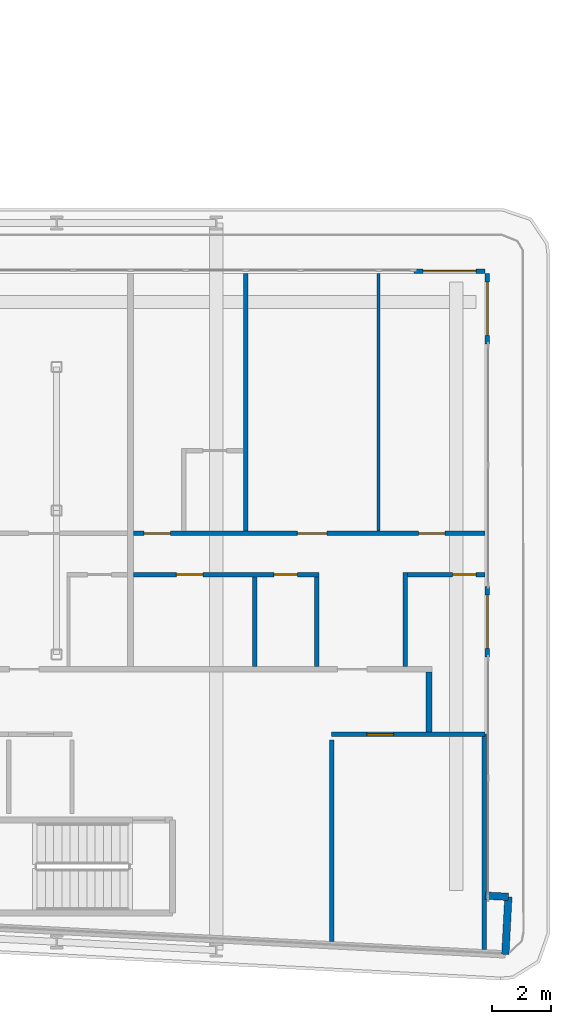
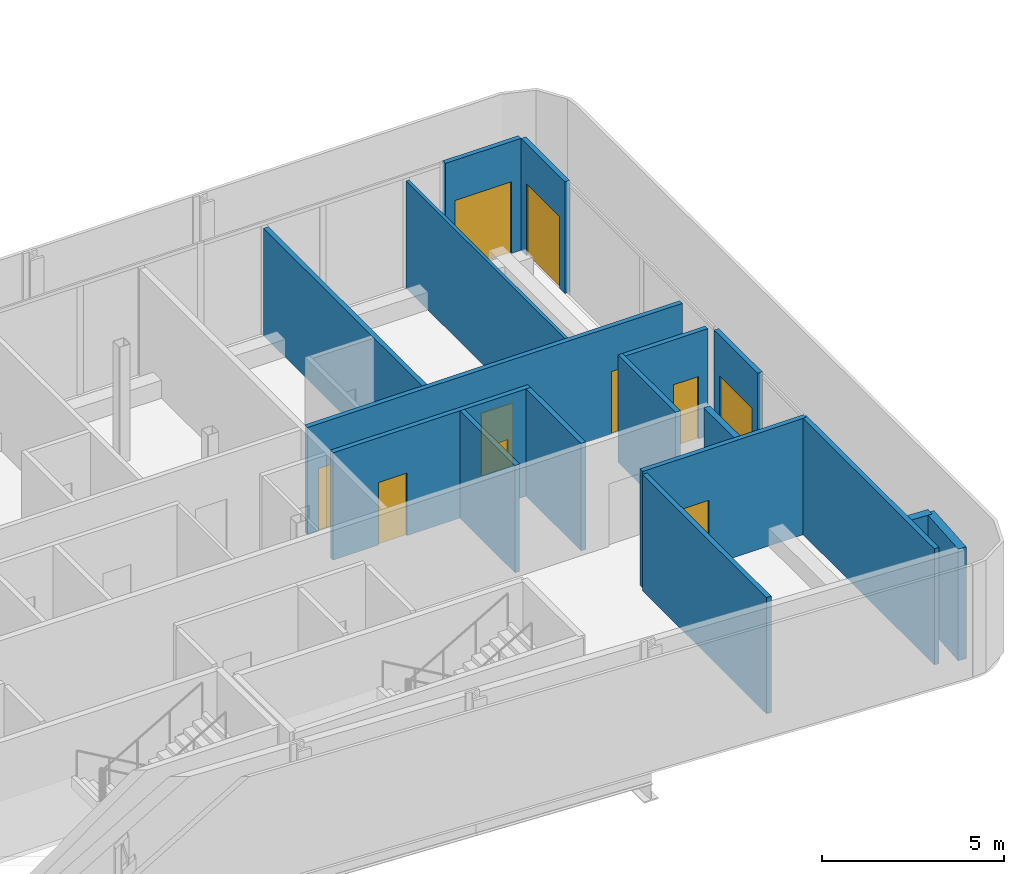
# One storey, part 20 of 29: 17 walls, 10 doors, 10 openings.
"""IFC4 building model written with IfcOpenShell, lengths in metres."""

from ifc_helpers import new_model, si_unit, direction, frame, frame_2d, origin, place, context, subcontext, project, spatial, rectangle, extrude, source, transform, mapped, material, layer, layer_set, type_object, element, fill, save


model = new_model("IFC4")

# Units and contexts
model_context = context("Model", 3, precision=1e-05, world=origin(), true_north=direction((0.0, 1.0)))
body_context = subcontext(model_context, "Body", "Model", "MODEL_VIEW")
ifc_project = project(units=[si_unit("LENGTHUNIT", "METRE"), si_unit("AREAUNIT", "SQUARE_METRE"), si_unit("VOLUMEUNIT", "CUBIC_METRE"), si_unit("PLANEANGLEUNIT", "RADIAN"), si_unit("MASSUNIT", "GRAM", prefix="KILO")], contexts=[model_context])

# Site, building, storey
site_placement = place(None, origin())
site = spatial("IfcSite", under=ifc_project, at=site_placement, CompositionType="ELEMENT")
building_placement = place(site_placement, origin())
building = spatial("IfcBuilding", under=site, at=building_placement, Name="Kheshtan School and Residences Tower", CompositionType="ELEMENT")
storey_placement = place(building_placement, frame((0.0, 0.0, 61.699951171875)))
storey = spatial("IfcBuildingStorey", under=building, at=storey_placement, Name="L14", CompositionType="ELEMENT", Elevation=61.699951171875)

# Walls
ifc_material_1 = material(Name="Gypsum board on steel studs with fire boards", Category="steel")
ifc_layer_1 = layer(ifc_material_1, 0.199951171875)
ifc_layer_set_1 = layer_set([ifc_layer_1], Name="Corridor wall 200")
wall_type_1 = type_object("IfcWallType", Name="Corridor wall 200", PredefinedType="PARTITIONING", material=ifc_layer_set_1)
wall_1_placement = place(storey_placement, frame((98.0, 28.3740234375, 0.0), z_axis=(0.0, 0.0, 1.0), x_axis=(0.0, 1.0, 0.0)))
element("IfcWall", 1, at=wall_1_placement, inside=storey, type_object=wall_type_1, Name="Partition L14-083", PredefinedType="PARTITIONING", context=body_context, shape_type="SweptSolid", body=[
    extrude(rectangle(XDim=2.02587890625, YDim=0.199951171875, at=frame_2d((1.012939453125, 0.0))), origin(), (0.0, 0.0, 1.0), 3.60009765625),
])
ifc_material_2 = material(Name="Concrete C40/50 with ceramic cladding and mineral wool insulation", Category="concrete")
ifc_layer_2 = layer(ifc_material_2, 0.25)
ifc_layer_set_2 = layer_set([ifc_layer_2], Name="External wall 250 ceramic clad")
wall_type_2 = type_object("IfcWallType", Name="External wall 250 ceramic clad", PredefinedType="SOLIDWALL", material=ifc_layer_set_2)
wall_2_placement = place(storey_placement, frame((99.906982421875, 22.839111328125, 0.0), z_axis=(0.0, 0.0, 1.0), x_axis=(0.998561284263, -0.053622398031, 0.0)))
element("IfcWall", 2, at=wall_2_placement, inside=storey, type_object=wall_type_2, Name="External wall L14 14", PredefinedType="SOLIDWALL", context=body_context, shape_type="SweptSolid", body=[
    extrude(rectangle(XDim=0.783203125, YDim=0.25, at=frame_2d((0.3916015625, 0.0))), origin(), (0.0, 0.0, 1.0), 3.75),
])
wall_3_placement = place(storey_placement, frame((100.68896484375, 22.797119140625, 0.0), z_axis=(0.0, 0.0, 1.0), x_axis=(-0.052841433274, -0.998602915542, 0.0)))
element("IfcWall", 3, at=wall_3_placement, inside=storey, type_object=wall_type_2, Name="External wall L14 15", PredefinedType="SOLIDWALL", context=body_context, shape_type="SweptSolid", body=[
    extrude(rectangle(XDim=1.94970703125, YDim=0.25, at=frame_2d((0.974853515625, 0.0))), origin(), (0.0, 0.0, 1.0), 3.75),
])

# Wall, opening, door
ifc_material_3 = material(Name="Aluminium frame wall with insulated infill", Category="aluminium")
ifc_layer_3 = layer(ifc_material_3, 0.14990234375)
ifc_layer_set_3 = layer_set([ifc_layer_3], Name="Glazing frame wall 150")
wall_type_3 = type_object("IfcWallType", Name="Glazing frame wall 150", PredefinedType="SOLIDWALL", material=ifc_layer_set_3)
wall_4_placement = place(storey_placement, frame((97.5, 43.97509765625, 0.0), z_axis=(0.0, 0.0, 1.0), x_axis=(1.0, 0.0, 0.0)))
wall_4 = element("IfcWall", 4, at=wall_4_placement, inside=storey, type_object=wall_type_3, Name="Balcony door wall L14 12.5", PredefinedType="SOLIDWALL", context=body_context, shape_type="SweptSolid", body=[
    extrude(rectangle(XDim=2.39990234375, YDim=0.14990234375, at=frame_2d((1.199951171875, 0.0))), origin(), (0.0, 0.0, 1.0), 3.75),
])
opening_1_placement = place(wall_4_placement, frame((0.300048828125, 0.0, 0.0)))
opening_1 = element("IfcOpeningElement", 5, at=opening_1_placement, cuts=wall_4, Name="Opening BD", PredefinedType="OPENING", context=body_context, shape_type="SweptSolid", body=[
    extrude(rectangle(XDim=1.800048828125, YDim=2.39990234375, at=frame_2d((0.89990234375, 1.199951171875))), frame((0.0, 0.0849609375, 0.0), z_axis=(0.0, -1.0, 0.0), x_axis=(1.0, 0.0, 0.0)), (0.0, 0.0, 1.0), 0.169921875),
])
ifc_material_4 = material(Name="Clear low-e glass in thermally broken aluminium frame", Category="aluminium")
door_type_1 = type_object("IfcDoorType", Name="Balcony sliding door", OperationType="SLIDING_TO_LEFT", PredefinedType="DOOR", material=ifc_material_4)
shared_shape_1 = source(origin(), body_context, "Body", "SweptSolid", [
    extrude(rectangle(XDim=1.800048828125, YDim=2.39990234375, at=frame_2d((0.89990234375, 1.199951171875))), frame((0.0, 0.02490234375, 0.0), z_axis=(0.0, -1.0, 0.0), x_axis=(1.0, 0.0, 0.0)), (0.0, 0.0, 1.0), 0.050048828125),
])
door_1_placement = place(opening_1_placement, origin())
door_1 = element("IfcDoor", 6, at=door_1_placement, inside=storey, type_object=door_type_1, Name="Balcony door L14 12.5", OperationType="SLIDING_TO_LEFT", OverallHeight=2.39990234375, OverallWidth=1.800048828125, PredefinedType="DOOR", context=body_context, shape_type="MappedRepresentation", body=[
    mapped(shared_shape_1, transform((0.0, 0.0, 0.0), x_axis=(1.0, 0.0, 0.0), y_axis=(0.0, 1.0, 0.0), z_axis=(0.0, 0.0, 1.0), scale=1.0)),
])
fill(opening_1, door_1)

wall_5_placement = place(storey_placement, frame((99.97509765625, 43.89990234375, 0.0), z_axis=(0.0, 0.0, 1.0), x_axis=(0.0, -1.0, 0.0)))
wall_5 = element("IfcWall", 7, at=wall_5_placement, inside=storey, type_object=wall_type_3, Name="Balcony door wall L14 13.1", PredefinedType="SOLIDWALL", context=body_context, shape_type="SweptSolid", body=[
    extrude(rectangle(XDim=2.39990234375, YDim=0.14990234375, at=frame_2d((1.199951171875, 0.0))), origin(), (0.0, 0.0, 1.0), 3.75),
])
opening_2_placement = place(wall_5_placement, frame((0.300048828125, 0.0, 0.0)))
opening_2 = element("IfcOpeningElement", 8, at=opening_2_placement, cuts=wall_5, Name="Opening BD", PredefinedType="OPENING", context=body_context, shape_type="SweptSolid", body=[
    extrude(rectangle(XDim=1.800048828125, YDim=2.39990234375, at=frame_2d((0.89990234375, 1.199951171875))), frame((0.0, 0.0849609375, 0.0), z_axis=(0.0, -1.0, 0.0), x_axis=(1.0, 0.0, 0.0)), (0.0, 0.0, 1.0), 0.169921875),
])
door_2_placement = place(opening_2_placement, origin())
door_2 = element("IfcDoor", 9, at=door_2_placement, inside=storey, type_object=door_type_1, Name="Balcony door L14 13.1", OperationType="SLIDING_TO_LEFT", OverallHeight=2.39990234375, OverallWidth=1.800048828125, PredefinedType="DOOR", context=body_context, shape_type="MappedRepresentation", body=[
    mapped(shared_shape_1, transform((0.0, 0.0, 0.0), x_axis=(1.0, 0.0, 0.0), y_axis=(0.0, 1.0, 0.0), z_axis=(0.0, 0.0, 1.0), scale=1.0)),
])
fill(opening_2, door_2)

wall_6_placement = place(storey_placement, frame((99.97509765625, 33.306884765625, 0.0), z_axis=(0.0, 0.0, 1.0), x_axis=(0.0, -1.0, 0.0)))
wall_6 = element("IfcWall", 10, at=wall_6_placement, inside=storey, type_object=wall_type_3, Name="Balcony door wall L14 13.2", PredefinedType="SOLIDWALL", context=body_context, shape_type="SweptSolid", body=[
    extrude(rectangle(XDim=2.39990234375, YDim=0.14990234375, at=frame_2d((1.199951171875, 0.0))), origin(), (0.0, 0.0, 1.0), 3.75),
])
opening_3_placement = place(wall_6_placement, frame((0.300048828125, 0.0, 0.0)))
opening_3 = element("IfcOpeningElement", 11, at=opening_3_placement, cuts=wall_6, Name="Opening BD", PredefinedType="OPENING", context=body_context, shape_type="SweptSolid", body=[
    extrude(rectangle(XDim=1.800048828125, YDim=2.39990234375, at=frame_2d((0.89990234375, 1.199951171875))), frame((0.0, 0.0849609375, 0.0), z_axis=(0.0, -1.0, 0.0), x_axis=(1.0, 0.0, 0.0)), (0.0, 0.0, 1.0), 0.169921875),
])
door_3_placement = place(opening_3_placement, origin())
door_3 = element("IfcDoor", 12, at=door_3_placement, inside=storey, type_object=door_type_1, Name="Balcony door L14 13.2", OperationType="SLIDING_TO_LEFT", OverallHeight=2.39990234375, OverallWidth=1.800048828125, PredefinedType="DOOR", context=body_context, shape_type="MappedRepresentation", body=[
    mapped(shared_shape_1, transform((0.0, 0.0, 0.0), x_axis=(1.0, 0.0, 0.0), y_axis=(0.0, 1.0, 0.0), z_axis=(0.0, 0.0, 1.0), scale=1.0)),
])
fill(opening_3, door_3)

# Walls
ifc_material_5 = material(Name="Gypsum board on steel studs", Category="steel")
ifc_layer_4 = layer(ifc_material_5, 0.10009765625)
ifc_layer_set_4 = layer_set([ifc_layer_4], Name="Gypsum partition 100")
wall_type_4 = type_object("IfcWallType", Name="Gypsum partition 100", PredefinedType="PARTITIONING", material=ifc_layer_set_4)
wall_7_placement = place(storey_placement, frame((96.300048828125, 35.175048828125, 0.0), z_axis=(0.0, 0.0, 1.0), x_axis=(0.0, 1.0, 0.0)))
element("IfcWall", 13, at=wall_7_placement, inside=storey, type_object=wall_type_4, Name="Partition L14-080", PredefinedType="PARTITIONING", context=body_context, shape_type="SweptSolid", body=[
    extrude(rectangle(XDim=8.724853515625, YDim=0.10009765625, at=frame_2d((4.3623046875, 0.0))), origin(), (0.0, 0.0, 1.0), 3.60009765625),
])
ifc_material_6 = material(Name="Fire-board shaft wall system")
ifc_layer_5 = layer(ifc_material_6, 0.14990234375)
ifc_layer_set_5 = layer_set([ifc_layer_5], Name="Service room wall 150")
wall_type_5 = type_object("IfcWallType", Name="Service room wall 150", PredefinedType="PARTITIONING", material=ifc_layer_set_5)
wall_8_placement = place(storey_placement, frame((99.8701171875, 21.014892578125, 0.0), z_axis=(0.0, 0.0, 1.0), x_axis=(0.0, 1.0, 0.0)))
element("IfcWall", 14, at=wall_8_placement, inside=storey, type_object=wall_type_5, Name="Service room wall", PredefinedType="PARTITIONING", context=body_context, shape_type="SweptSolid", body=[
    extrude(rectangle(XDim=7.28515625, YDim=0.14990234375, at=frame_2d((3.642578125, 0.0))), origin(), (0.0, 0.0, 1.0), 3.900146484375),
])

# Wall, opening, door
wall_9_placement = place(storey_placement, frame((94.7060546875, 28.300048828125, 0.0), z_axis=(0.0, 0.0, 1.0), x_axis=(1.0, 0.0, 0.0)))
wall_9 = element("IfcWall", 15, at=wall_9_placement, inside=storey, type_object=wall_type_5, Name="Service room wall", PredefinedType="PARTITIONING", context=body_context, shape_type="SweptSolid", body=[
    extrude(rectangle(XDim=5.19189453125, YDim=0.14990234375, at=frame_2d((2.595947265625, 0.0))), origin(), (0.0, 0.0, 1.0), 3.900146484375),
])
opening_4_placement = place(wall_9_placement, frame((1.197021484375, 0.0, 0.0)))
opening_4 = element("IfcOpeningElement", 16, at=opening_4_placement, cuts=wall_9, Name="Opening SR90", PredefinedType="OPENING", context=body_context, shape_type="SweptSolid", body=[
    extrude(rectangle(XDim=0.89990234375, YDim=2.199951171875, at=frame_2d((0.449951171875, 1.10009765625))), frame((0.0, 0.0849609375, 0.0), z_axis=(0.0, -1.0, 0.0), x_axis=(1.0, 0.0, 0.0)), (0.0, 0.0, 1.0), 0.169921875),
])
ifc_material_7 = material(Name="Steel door leaf, galvanised", Category="steel")
door_type_2 = type_object("IfcDoorType", Name="Service room door 900 steel 90 min", OperationType="SINGLE_SWING_LEFT", PredefinedType="DOOR", material=ifc_material_7)
shared_shape_2 = source(origin(), body_context, "Body", "SweptSolid", [
    extrude(rectangle(XDim=0.89990234375, YDim=2.199951171875, at=frame_2d((0.449951171875, 1.10009765625))), frame((0.0, 0.02490234375, 0.0), z_axis=(0.0, -1.0, 0.0), x_axis=(1.0, 0.0, 0.0)), (0.0, 0.0, 1.0), 0.050048828125),
])
door_4_placement = place(opening_4_placement, origin())
door_4 = element("IfcDoor", 17, at=door_4_placement, inside=storey, type_object=door_type_2, Name="Service room door", OperationType="SINGLE_SWING_LEFT", OverallHeight=2.199951171875, OverallWidth=0.89990234375, PredefinedType="DOOR", context=body_context, shape_type="MappedRepresentation", body=[
    mapped(shared_shape_2, transform((0.0, 0.0, 0.0), x_axis=(1.0, 0.0, 0.0), y_axis=(0.0, 1.0, 0.0), z_axis=(0.0, 0.0, 1.0), scale=1.0)),
])
fill(opening_4, door_4)

# Wall
wall_10_placement = place(storey_placement, frame((94.7060546875, 21.287109375, 0.0), z_axis=(0.0, 0.0, 1.0), x_axis=(0.0, 1.0, 0.0)))
element("IfcWall", 18, at=wall_10_placement, inside=storey, type_object=wall_type_5, Name="Service room wall", PredefinedType="PARTITIONING", context=body_context, shape_type="SweptSolid", body=[
    extrude(rectangle(XDim=6.81787109375, YDim=0.14990234375, at=frame_2d((3.408935546875, 0.0))), origin(), (0.0, 0.0, 1.0), 3.900146484375),
])

# Wall, openings, doors
ifc_material_8 = material(Name="Moisture-resistant gypsum board on steel studs", Category="steel")
ifc_layer_6 = layer(ifc_material_8, 0.14990234375)
ifc_layer_set_6 = layer_set([ifc_layer_6], Name="Wet-room partition 150")
wall_type_6 = type_object("IfcWallType", Name="Wet-room partition 150", PredefinedType="PARTITIONING", material=ifc_layer_set_6)
wall_11_placement = place(storey_placement, frame((88.0, 33.699951171875, 0.0), z_axis=(0.0, 0.0, 1.0), x_axis=(1.0, 0.0, 0.0)))
wall_11 = element("IfcWall", 19, at=wall_11_placement, inside=storey, type_object=wall_type_6, Name="Partition L14-073", PredefinedType="PARTITIONING", context=body_context, shape_type="SweptSolid", body=[
    extrude(rectangle(XDim=6.27490234375, YDim=0.14990234375, at=frame_2d((3.137451171875, 0.0))), origin(), (0.0, 0.0, 1.0), 3.60009765625),
])
opening_5_placement = place(wall_11_placement, frame((1.449951171875, 0.0, 0.0)))
opening_5 = element("IfcOpeningElement", 20, at=opening_5_placement, cuts=wall_11, Name="Opening D14-029", PredefinedType="OPENING", context=body_context, shape_type="SweptSolid", body=[
    extrude(rectangle(XDim=0.89990234375, YDim=2.10009765625, at=frame_2d((0.449951171875, 1.050048828125))), frame((0.0, 0.0849609375, 0.0), z_axis=(0.0, -1.0, 0.0), x_axis=(1.0, 0.0, 0.0)), (0.0, 0.0, 1.0), 0.169921875),
])
opening_6_placement = place(wall_11_placement, frame((4.75, 0.0, 0.0)))
opening_6 = element("IfcOpeningElement", 21, at=opening_6_placement, cuts=wall_11, Name="Opening D14-032", PredefinedType="OPENING", context=body_context, shape_type="SweptSolid", body=[
    extrude(rectangle(XDim=0.800048828125, YDim=2.10009765625, at=frame_2d((0.39990234375, 1.050048828125))), frame((0.0, 0.0849609375, 0.0), z_axis=(0.0, -1.0, 0.0), x_axis=(1.0, 0.0, 0.0)), (0.0, 0.0, 1.0), 0.169921875),
])
ifc_material_9 = material(Name="Veneered timber door leaf", Category="wood")
door_type_3 = type_object("IfcDoorType", Name="Door 800 x 2100", OperationType="SINGLE_SWING_LEFT", PredefinedType="DOOR", material=ifc_material_9)
shared_shape_3 = source(origin(), body_context, "Body", "SweptSolid", [
    extrude(rectangle(XDim=0.800048828125, YDim=2.10009765625, at=frame_2d((0.39990234375, 1.050048828125))), frame((0.0, 0.02490234375, 0.0), z_axis=(0.0, -1.0, 0.0), x_axis=(1.0, 0.0, 0.0)), (0.0, 0.0, 1.0), 0.050048828125),
])
door_5_placement = place(opening_6_placement, origin())
door_5 = element("IfcDoor", 22, at=door_5_placement, inside=storey, type_object=door_type_3, Name="Door D14-032", OperationType="SINGLE_SWING_LEFT", OverallHeight=2.10009765625, OverallWidth=0.800048828125, PredefinedType="DOOR", context=body_context, shape_type="MappedRepresentation", body=[
    mapped(shared_shape_3, transform((0.0, 0.0, 0.0), x_axis=(1.0, 0.0, 0.0), y_axis=(0.0, 1.0, 0.0), z_axis=(0.0, 0.0, 1.0), scale=1.0)),
])
fill(opening_6, door_5)
door_type_4 = type_object("IfcDoorType", Name="Door 900 x 2100", OperationType="SINGLE_SWING_LEFT", PredefinedType="DOOR", material=ifc_material_9)
shared_shape_4 = source(origin(), body_context, "Body", "SweptSolid", [
    extrude(rectangle(XDim=0.89990234375, YDim=2.10009765625, at=frame_2d((0.449951171875, 1.050048828125))), frame((0.0, 0.02490234375, 0.0), z_axis=(0.0, -1.0, 0.0), x_axis=(1.0, 0.0, 0.0)), (0.0, 0.0, 1.0), 0.050048828125),
])
door_6_placement = place(opening_5_placement, origin())
door_6 = element("IfcDoor", 23, at=door_6_placement, inside=storey, type_object=door_type_4, Name="Door D14-029", OperationType="SINGLE_SWING_LEFT", OverallHeight=2.10009765625, OverallWidth=0.89990234375, PredefinedType="DOOR", context=body_context, shape_type="MappedRepresentation", body=[
    mapped(shared_shape_4, transform((0.0, 0.0, 0.0), x_axis=(1.0, 0.0, 0.0), y_axis=(0.0, 1.0, 0.0), z_axis=(0.0, 0.0, 1.0), scale=1.0)),
])
fill(opening_5, door_6)

wall_12_placement = place(storey_placement, frame((88.0, 35.10009765625, 0.0), z_axis=(0.0, 0.0, 1.0), x_axis=(1.0, 0.0, 0.0)))
wall_12 = element("IfcWall", 24, at=wall_12_placement, inside=storey, type_object=wall_type_6, Name="Partition L14-074", PredefinedType="PARTITIONING", context=body_context, shape_type="SweptSolid", body=[
    extrude(rectangle(XDim=11.89990234375, YDim=0.14990234375, at=frame_2d((5.949951171875, 0.0))), origin(), (0.0, 0.0, 1.0), 3.60009765625),
])
opening_7_placement = place(wall_12_placement, frame((9.64990234375, 0.0, 0.0)))
opening_7 = element("IfcOpeningElement", 25, at=opening_7_placement, cuts=wall_12, Name="Opening D14-026", PredefinedType="OPENING", context=body_context, shape_type="SweptSolid", body=[
    extrude(rectangle(XDim=0.89990234375, YDim=2.10009765625, at=frame_2d((0.449951171875, 1.050048828125))), frame((0.0, 0.0849609375, 0.0), z_axis=(0.0, -1.0, 0.0), x_axis=(1.0, 0.0, 0.0)), (0.0, 0.0, 1.0), 0.169921875),
])
opening_8_placement = place(wall_12_placement, frame((5.550048828125, 0.0, 0.0)))
opening_8 = element("IfcOpeningElement", 26, at=opening_8_placement, cuts=wall_12, Name="Opening D14-030", PredefinedType="OPENING", context=body_context, shape_type="SweptSolid", body=[
    extrude(rectangle(XDim=1.0, YDim=2.10009765625, at=frame_2d((0.5, 1.050048828125))), frame((0.0, 0.0849609375, 0.0), z_axis=(0.0, -1.0, 0.0), x_axis=(1.0, 0.0, 0.0)), (0.0, 0.0, 1.0), 0.169921875),
])
opening_9_placement = place(wall_12_placement, frame((0.35009765625, 0.0, 0.0)))
opening_9 = element("IfcOpeningElement", 27, at=opening_9_placement, cuts=wall_12, Name="Opening D14-031", PredefinedType="OPENING", context=body_context, shape_type="SweptSolid", body=[
    extrude(rectangle(XDim=0.89990234375, YDim=2.10009765625, at=frame_2d((0.449951171875, 1.050048828125))), frame((0.0, 0.0849609375, 0.0), z_axis=(0.0, -1.0, 0.0), x_axis=(1.0, 0.0, 0.0)), (0.0, 0.0, 1.0), 0.169921875),
])
door_type_5 = type_object("IfcDoorType", Name="Door 1000 x 2100", OperationType="SINGLE_SWING_LEFT", PredefinedType="DOOR", material=ifc_material_9)
shared_shape_5 = source(origin(), body_context, "Body", "SweptSolid", [
    extrude(rectangle(XDim=1.0, YDim=2.10009765625, at=frame_2d((0.5, 1.050048828125))), frame((0.0, 0.02490234375, 0.0), z_axis=(0.0, -1.0, 0.0), x_axis=(1.0, 0.0, 0.0)), (0.0, 0.0, 1.0), 0.050048828125),
])
door_7_placement = place(opening_8_placement, origin())
door_7 = element("IfcDoor", 28, at=door_7_placement, inside=storey, type_object=door_type_5, Name="Door D14-030", OperationType="SINGLE_SWING_LEFT", OverallHeight=2.10009765625, OverallWidth=1.0, PredefinedType="DOOR", context=body_context, shape_type="MappedRepresentation", body=[
    mapped(shared_shape_5, transform((0.0, 0.0, 0.0), x_axis=(1.0, 0.0, 0.0), y_axis=(0.0, 1.0, 0.0), z_axis=(0.0, 0.0, 1.0), scale=1.0)),
])
fill(opening_8, door_7)
door_8_placement = place(opening_7_placement, origin())
door_8 = element("IfcDoor", 29, at=door_8_placement, inside=storey, type_object=door_type_4, Name="Door D14-026", OperationType="SINGLE_SWING_LEFT", OverallHeight=2.10009765625, OverallWidth=0.89990234375, PredefinedType="DOOR", context=body_context, shape_type="MappedRepresentation", body=[
    mapped(shared_shape_4, transform((0.0, 0.0, 0.0), x_axis=(1.0, 0.0, 0.0), y_axis=(0.0, 1.0, 0.0), z_axis=(0.0, 0.0, 1.0), scale=1.0)),
])
fill(opening_7, door_8)
door_9_placement = place(opening_9_placement, origin())
door_9 = element("IfcDoor", 30, at=door_9_placement, inside=storey, type_object=door_type_4, Name="Door D14-031", OperationType="SINGLE_SWING_RIGHT", OverallHeight=2.10009765625, OverallWidth=0.89990234375, PredefinedType="DOOR", context=body_context, shape_type="MappedRepresentation", body=[
    mapped(shared_shape_4, transform((0.0, 0.0, 0.0), x_axis=(1.0, 0.0, 0.0), y_axis=(0.0, 1.0, 0.0), z_axis=(0.0, 0.0, 1.0), scale=1.0)),
])
fill(opening_9, door_9)

# Walls
wall_13_placement = place(storey_placement, frame((91.800048828125, 35.175048828125, 0.0), z_axis=(0.0, 0.0, 1.0), x_axis=(0.0, 1.0, 0.0)))
element("IfcWall", 31, at=wall_13_placement, inside=storey, type_object=wall_type_6, Name="Partition L14-077", PredefinedType="PARTITIONING", context=body_context, shape_type="SweptSolid", body=[
    extrude(rectangle(XDim=8.724853515625, YDim=0.14990234375, at=frame_2d((4.3623046875, 0.0))), origin(), (0.0, 0.0, 1.0), 3.60009765625),
])
for number, where, z_axis, x_axis, name in (
    (32, (92.10009765625, 30.60009765625, 0.0), (0.0, 0.0, 1.0), (0.0, 1.0, 0.0), "Partition L14-078"),
    (33, (94.199951171875, 30.60009765625, 0.0), (0.0, 0.0, 1.0), (0.0, 1.0, 0.0), "Partition L14-079"),
):
    element("IfcWall", number, at=place(storey_placement, frame(where, z_axis=z_axis, x_axis=x_axis)), inside=storey, type_object=wall_type_6, Name=name, PredefinedType="PARTITIONING", context=body_context, shape_type="SweptSolid", body=[
        extrude(rectangle(XDim=3.02490234375, YDim=0.14990234375, at=frame_2d((1.512451171875, 0.0))), origin(), (0.0, 0.0, 1.0), 3.60009765625),
    ])
wall_14_placement = place(storey_placement, frame((97.199951171875, 30.60009765625, 0.0), z_axis=(0.0, 0.0, 1.0), x_axis=(0.0, 1.0, 0.0)))
element("IfcWall", 34, at=wall_14_placement, inside=storey, type_object=wall_type_6, Name="Partition L14-081", PredefinedType="PARTITIONING", context=body_context, shape_type="SweptSolid", body=[
    extrude(rectangle(XDim=3.1748046875, YDim=0.14990234375, at=frame_2d((1.58740234375, 0.0))), origin(), (0.0, 0.0, 1.0), 3.60009765625),
])

# Wall, opening, door
wall_15_placement = place(storey_placement, frame((97.27490234375, 33.699951171875, 0.0), z_axis=(0.0, 0.0, 1.0), x_axis=(1.0, 0.0, 0.0)))
wall_15 = element("IfcWall", 35, at=wall_15_placement, inside=storey, type_object=wall_type_6, Name="Partition L14-082", PredefinedType="PARTITIONING", context=body_context, shape_type="SweptSolid", body=[
    extrude(rectangle(XDim=2.625, YDim=0.14990234375, at=frame_2d((1.3125, 0.0))), origin(), (0.0, 0.0, 1.0), 3.60009765625),
])
opening_10_placement = place(wall_15_placement, frame((1.52490234375, 0.0, 0.0)))
opening_10 = element("IfcOpeningElement", 36, at=opening_10_placement, cuts=wall_15, Name="Opening D14-025", PredefinedType="OPENING", context=body_context, shape_type="SweptSolid", body=[
    extrude(rectangle(XDim=0.800048828125, YDim=2.10009765625, at=frame_2d((0.39990234375, 1.050048828125))), frame((0.0, 0.0849609375, 0.0), z_axis=(0.0, -1.0, 0.0), x_axis=(1.0, 0.0, 0.0)), (0.0, 0.0, 1.0), 0.169921875),
])
door_10_placement = place(opening_10_placement, origin())
door_10 = element("IfcDoor", 37, at=door_10_placement, inside=storey, type_object=door_type_3, Name="Door D14-025", OperationType="SINGLE_SWING_RIGHT", OverallHeight=2.10009765625, OverallWidth=0.800048828125, PredefinedType="DOOR", context=body_context, shape_type="MappedRepresentation", body=[
    mapped(shared_shape_3, transform((0.0, 0.0, 0.0), x_axis=(1.0, 0.0, 0.0), y_axis=(0.0, 1.0, 0.0), z_axis=(0.0, 0.0, 1.0), scale=1.0)),
])
fill(opening_10, door_10)

save(model, "model.ifc")
